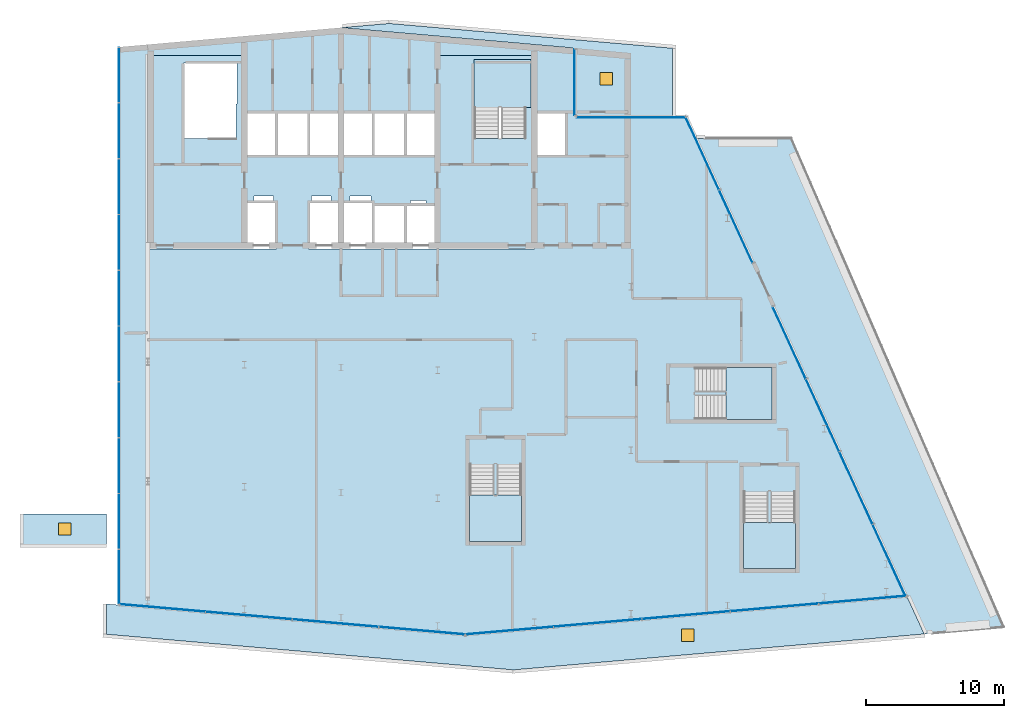
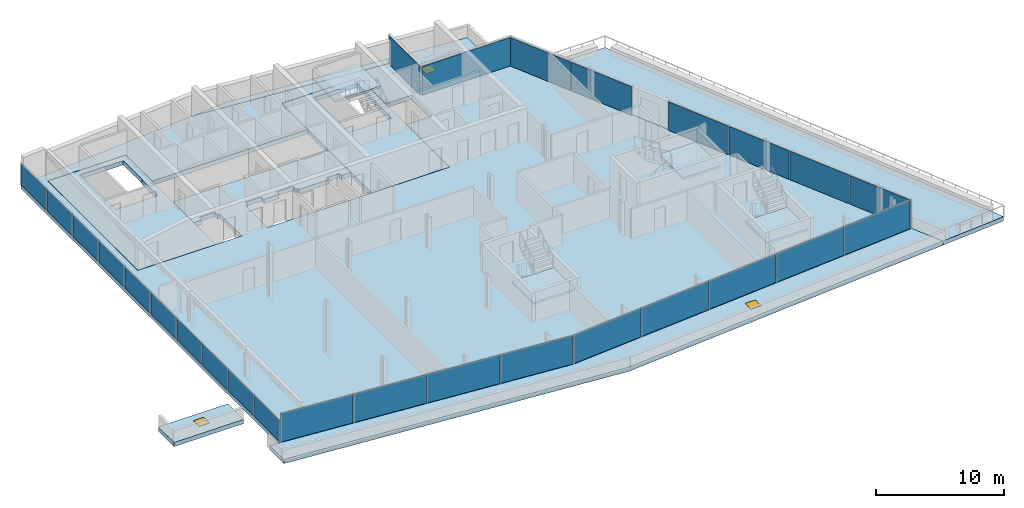
# One storey, part 10 of 17: 27 plates, 11 slabs, 3 doors, 3 openings, 11 elements without a shape of their own.
"""IFC4 building model written with IfcOpenShell, lengths in metres."""

from ifc_helpers import new_model, si_unit, direction, frame, origin, origin_2d, place, context, subcontext, project, spatial, polyline, rectangle, outline, extrude, material, layer, layer_set, type_object, element, fill, aggregate, save


model = new_model("IFC4")

# Units and contexts
model_context = context("Model", 3, precision=1e-05, world=origin(), true_north=direction((0.0, 1.0)))
body_context = subcontext(model_context, "Body", "Model", "MODEL_VIEW")
ifc_project = project(units=[si_unit("LENGTHUNIT", "METRE"), si_unit("AREAUNIT", "SQUARE_METRE"), si_unit("VOLUMEUNIT", "CUBIC_METRE"), si_unit("PLANEANGLEUNIT", "RADIAN"), si_unit("MASSUNIT", "GRAM", prefix="KILO")], contexts=[model_context])

# Site, building, storey
site_placement = place(None, origin())
site = spatial("IfcSite", under=ifc_project, at=site_placement, CompositionType="ELEMENT")
building_placement = place(site_placement, origin())
building = spatial("IfcBuilding", under=site, at=building_placement, Name="Wharfspan Tower", CompositionType="ELEMENT")
storey_placement = place(building_placement, frame((0.0, 0.0, 261.100098)))
storey = spatial("IfcBuildingStorey", under=building, at=storey_placement, Name="L66", CompositionType="ELEMENT", Elevation=261.100098)

# Curtain wall, plates
ifc_material_1 = material(Name="Aluminium 6063-T6", Category="aluminium")
curtain_wall_type_1 = type_object("IfcCurtainWallType", Name="CURTAIN WALL CROWN GABLE", PredefinedType="NOTDEFINED", material=ifc_material_1)
curtain_wall_1_placement = place(storey_placement, origin())
curtain_wall_1 = element("IfcCurtainWall", 1, at=curtain_wall_1_placement, inside=storey, type_object=curtain_wall_type_1, Name="Crown gable glazing", PredefinedType="NOTDEFINED")
ifc_material_2 = material(Name="Glass clear low-iron double glazing", Category="glass")
ifc_layer_1 = layer(ifc_material_2, 0.035889)
ifc_layer_set_1 = layer_set([ifc_layer_1], Name="Glass clear low-iron double glazing")
plate_type_1 = type_object("IfcPlateType", Name="GLASS PANEL CROWN GABLE 36", PredefinedType="CURTAIN_PANEL", material=ifc_layer_set_1)
plate_1_placement = place(storey_placement, frame((20.930176, 10.229248, 0.0), z_axis=(0.0, 0.0, 1.0), x_axis=(0.0, 1.0, 0.0)))
plate_1 = element("IfcPlate", 2, at=plate_1_placement, type_object=plate_type_1, Name="Crown gable glazing panel 1", PredefinedType="CURTAIN_PANEL", context=body_context, shape_type="SweptSolid", body=[
    extrude(rectangle(XDim=3.951172, YDim=0.035889, at=origin_2d()), origin(), (0.0, 0.0, 1.0), 2.054443),
])
plate_2_placement = place(storey_placement, frame((20.930176, 14.255615, 0.0), z_axis=(0.0, 0.0, 1.0), x_axis=(0.0, 1.0, 0.0)))
plate_2 = element("IfcPlate", 3, at=plate_2_placement, type_object=plate_type_1, Name="Crown gable glazing panel 2", PredefinedType="CURTAIN_PANEL", context=body_context, shape_type="SweptSolid", body=[
    extrude(rectangle(XDim=3.981201, YDim=0.035889, at=origin_2d()), origin(), (0.0, 0.0, 1.0), 2.054443),
])
plate_3_placement = place(storey_placement, frame((20.930176, 18.296875, 0.0), z_axis=(0.0, 0.0, 1.0), x_axis=(0.0, 1.0, 0.0)))
plate_3 = element("IfcPlate", 4, at=plate_3_placement, type_object=plate_type_1, Name="Crown gable glazing panel 3", PredefinedType="CURTAIN_PANEL", context=body_context, shape_type="SweptSolid", body=[
    extrude(rectangle(XDim=3.981201, YDim=0.035889, at=origin_2d()), origin(), (0.0, 0.0, 1.0), 2.054443),
])
plate_4_placement = place(storey_placement, frame((20.930176, 22.338135, 0.0), z_axis=(0.0, 0.0, 1.0), x_axis=(0.0, 1.0, 0.0)))
plate_4 = element("IfcPlate", 5, at=plate_4_placement, type_object=plate_type_1, Name="Crown gable glazing panel 4", PredefinedType="CURTAIN_PANEL", context=body_context, shape_type="SweptSolid", body=[
    extrude(rectangle(XDim=3.981201, YDim=0.035889, at=origin_2d()), origin(), (0.0, 0.0, 1.0), 2.054443),
])
plate_5_placement = place(storey_placement, frame((20.930176, 26.379395, 0.0), z_axis=(0.0, 0.0, 1.0), x_axis=(0.0, 1.0, 0.0)))
plate_5 = element("IfcPlate", 6, at=plate_5_placement, type_object=plate_type_1, Name="Crown gable glazing panel 5", PredefinedType="CURTAIN_PANEL", context=body_context, shape_type="SweptSolid", body=[
    extrude(rectangle(XDim=3.981201, YDim=0.035889, at=origin_2d()), origin(), (0.0, 0.0, 1.0), 2.054443),
])
plate_6_placement = place(storey_placement, frame((20.930176, 30.420654, 0.0), z_axis=(0.0, 0.0, 1.0), x_axis=(0.0, 1.0, 0.0)))
plate_6 = element("IfcPlate", 7, at=plate_6_placement, type_object=plate_type_1, Name="Crown gable glazing panel 6", PredefinedType="CURTAIN_PANEL", context=body_context, shape_type="SweptSolid", body=[
    extrude(rectangle(XDim=3.981201, YDim=0.035889, at=origin_2d()), origin(), (0.0, 0.0, 1.0), 2.054443),
])
plate_7_placement = place(storey_placement, frame((20.930176, 34.461914, 0.0), z_axis=(0.0, 0.0, 1.0), x_axis=(0.0, 1.0, 0.0)))
plate_7 = element("IfcPlate", 8, at=plate_7_placement, type_object=plate_type_1, Name="Crown gable glazing panel 7", PredefinedType="CURTAIN_PANEL", context=body_context, shape_type="SweptSolid", body=[
    extrude(rectangle(XDim=3.981201, YDim=0.035889, at=origin_2d()), origin(), (0.0, 0.0, 1.0), 2.054443),
])
plate_8_placement = place(storey_placement, frame((20.930176, 38.503174, 0.0), z_axis=(0.0, 0.0, 1.0), x_axis=(0.0, 1.0, 0.0)))
plate_8 = element("IfcPlate", 9, at=plate_8_placement, type_object=plate_type_1, Name="Crown gable glazing panel 8", PredefinedType="CURTAIN_PANEL", context=body_context, shape_type="SweptSolid", body=[
    extrude(rectangle(XDim=3.981201, YDim=0.035889, at=origin_2d()), origin(), (0.0, 0.0, 1.0), 2.054443),
])
plate_9_placement = place(storey_placement, frame((20.930176, 42.544434, 0.0), z_axis=(0.0, 0.0, 1.0), x_axis=(0.0, 1.0, 0.0)))
plate_9 = element("IfcPlate", 10, at=plate_9_placement, type_object=plate_type_1, Name="Crown gable glazing panel 9", PredefinedType="CURTAIN_PANEL", context=body_context, shape_type="SweptSolid", body=[
    extrude(rectangle(XDim=3.981201, YDim=0.035889, at=origin_2d()), origin(), (0.0, 0.0, 1.0), 2.054443),
])
plate_10_placement = place(storey_placement, frame((20.930176, 46.570801, 0.0), z_axis=(0.0, 0.0, 1.0), x_axis=(0.0, 1.0, 0.0)))
plate_10 = element("IfcPlate", 11, at=plate_10_placement, type_object=plate_type_1, Name="Crown gable glazing panel 10", PredefinedType="CURTAIN_PANEL", context=body_context, shape_type="SweptSolid", body=[
    extrude(rectangle(XDim=3.951172, YDim=0.035889, at=origin_2d()), origin(), (0.0, 0.0, 1.0), 2.054443),
])
aggregate(curtain_wall_1, [plate_1, plate_2, plate_3, plate_4, plate_5, plate_6, plate_7, plate_8, plate_9, plate_10])

curtain_wall_type_2 = type_object("IfcCurtainWallType", Name="CURTAIN WALL FACETED FRONT", PredefinedType="NOTDEFINED", material=ifc_material_1)
curtain_wall_2_placement = place(storey_placement, origin())
curtain_wall_2 = element("IfcCurtainWall", 12, at=curtain_wall_2_placement, inside=storey, type_object=curtain_wall_type_2, Name="Crown curtain wall S1", PredefinedType="NOTDEFINED")
ifc_layer_2 = layer(ifc_material_2, 0.040039)
ifc_layer_set_2 = layer_set([ifc_layer_2], Name="Glass clear low-iron double glazing")
plate_type_2 = type_object("IfcPlateType", Name="GLASS PANEL FACETED FRONT 40", PredefinedType="CURTAIN_PANEL", material=ifc_layer_set_2)
plate_11_placement = place(storey_placement, frame((24.06665, 7.979492, 0.0), z_axis=(0.0, 0.0, 1.0), x_axis=(0.996198, -0.087156, 0.0)))
plate_11 = element("IfcPlate", 13, at=plate_11_placement, type_object=plate_type_2, Name="Crown curtain wall S1 panel 1", PredefinedType="CURTAIN_PANEL", context=body_context, shape_type="SweptSolid", body=[
    extrude(rectangle(XDim=6.206299, YDim=0.040039, at=origin_2d()), origin(), (0.0, 0.0, 1.0), 2.719971),
])
plate_12_placement = place(storey_placement, frame((30.324219, 7.432129, 0.0), z_axis=(0.0, 0.0, 1.0), x_axis=(0.996198, -0.087156, 0.0)))
plate_12 = element("IfcPlate", 14, at=plate_12_placement, type_object=plate_type_2, Name="Crown curtain wall S1 panel 2", PredefinedType="CURTAIN_PANEL", context=body_context, shape_type="SweptSolid", body=[
    extrude(rectangle(XDim=6.236328, YDim=0.040039, at=origin_2d()), origin(), (0.0, 0.0, 1.0), 2.719971),
])
plate_13_placement = place(storey_placement, frame((36.59668, 6.883301, 0.0), z_axis=(0.0, 0.0, 1.0), x_axis=(0.996198, -0.087156, 0.0)))
plate_13 = element("IfcPlate", 15, at=plate_13_placement, type_object=plate_type_2, Name="Crown curtain wall S1 panel 3", PredefinedType="CURTAIN_PANEL", context=body_context, shape_type="SweptSolid", body=[
    extrude(rectangle(XDim=6.236328, YDim=0.040039, at=origin_2d()), origin(), (0.0, 0.0, 1.0), 2.719971),
])
plate_14_placement = place(storey_placement, frame((42.854004, 6.335938, 0.0), z_axis=(0.0, 0.0, 1.0), x_axis=(0.996198, -0.087156, 0.0)))
plate_14 = element("IfcPlate", 16, at=plate_14_placement, type_object=plate_type_2, Name="Crown curtain wall S1 panel 4", PredefinedType="CURTAIN_PANEL", context=body_context, shape_type="SweptSolid", body=[
    extrude(rectangle(XDim=6.206299, YDim=0.040039, at=origin_2d()), origin(), (0.0, 0.0, 1.0), 2.719971),
])
aggregate(curtain_wall_2, [plate_11, plate_12, plate_13, plate_14])

curtain_wall_3_placement = place(storey_placement, origin())
curtain_wall_3 = element("IfcCurtainWall", 17, at=curtain_wall_3_placement, inside=storey, type_object=curtain_wall_type_2, Name="Crown curtain wall S2", PredefinedType="NOTDEFINED")
plate_15_placement = place(storey_placement, frame((49.209717, 6.341309, 0.0), z_axis=(0.0, 0.0, 1.0), x_axis=(0.996198, 0.087156, 0.0)))
plate_15 = element("IfcPlate", 18, at=plate_15_placement, type_object=plate_type_2, Name="Crown curtain wall S2 panel 1", PredefinedType="CURTAIN_PANEL", context=body_context, shape_type="SweptSolid", body=[
    extrude(rectangle(XDim=6.334473, YDim=0.040039, at=origin_2d()), origin(), (0.0, 0.0, 1.0), 2.719971),
])
plate_16_placement = place(storey_placement, frame((55.594727, 6.900146, 0.0), z_axis=(0.0, 0.0, 1.0), x_axis=(0.996198, 0.087156, 0.0)))
plate_16 = element("IfcPlate", 19, at=plate_16_placement, type_object=plate_type_2, Name="Crown curtain wall S2 panel 2", PredefinedType="CURTAIN_PANEL", context=body_context, shape_type="SweptSolid", body=[
    extrude(rectangle(XDim=6.364502, YDim=0.040039, at=origin_2d()), origin(), (0.0, 0.0, 1.0), 2.719971),
])
plate_17_placement = place(storey_placement, frame((61.994873, 7.459961, 0.0), z_axis=(0.0, 0.0, 1.0), x_axis=(0.996198, 0.087156, 0.0)))
plate_17 = element("IfcPlate", 20, at=plate_17_placement, type_object=plate_type_2, Name="Crown curtain wall S2 panel 3", PredefinedType="CURTAIN_PANEL", context=body_context, shape_type="SweptSolid", body=[
    extrude(rectangle(XDim=6.364502, YDim=0.040039, at=origin_2d()), origin(), (0.0, 0.0, 1.0), 2.719971),
])
plate_18_placement = place(storey_placement, frame((68.394775, 8.019775, 0.0), z_axis=(0.0, 0.0, 1.0), x_axis=(0.996198, 0.087156, 0.0)))
plate_18 = element("IfcPlate", 21, at=plate_18_placement, type_object=plate_type_2, Name="Crown curtain wall S2 panel 4", PredefinedType="CURTAIN_PANEL", context=body_context, shape_type="SweptSolid", body=[
    extrude(rectangle(XDim=6.364502, YDim=0.040039, at=origin_2d()), origin(), (0.0, 0.0, 1.0), 2.719971),
])
plate_19_placement = place(storey_placement, frame((74.779785, 8.578613, 0.0), z_axis=(0.0, 0.0, 1.0), x_axis=(0.996198, 0.087156, 0.0)))
plate_19 = element("IfcPlate", 22, at=plate_19_placement, type_object=plate_type_2, Name="Crown curtain wall S2 panel 5", PredefinedType="CURTAIN_PANEL", context=body_context, shape_type="SweptSolid", body=[
    extrude(rectangle(XDim=6.334473, YDim=0.040039, at=origin_2d()), origin(), (0.0, 0.0, 1.0), 2.719971),
])
aggregate(curtain_wall_3, [plate_15, plate_16, plate_17, plate_18, plate_19])

curtain_wall_type_3 = type_object("IfcCurtainWallType", Name="CURTAIN WALL PROW AND END", PredefinedType="NOTDEFINED", material=ifc_material_1)
curtain_wall_4_placement = place(storey_placement, origin())
curtain_wall_4 = element("IfcCurtainWall", 23, at=curtain_wall_4_placement, inside=storey, type_object=curtain_wall_type_3, Name="Crown curtain wall E", PredefinedType="NOTDEFINED")
ifc_layer_3 = layer(ifc_material_2, 0.040039)
ifc_layer_set_3 = layer_set([ifc_layer_3], Name="Glass clear low-iron double glazing")
plate_type_3 = type_object("IfcPlateType", Name="GLASS PANEL PROW AND END 40", PredefinedType="CURTAIN_PANEL", material=ifc_layer_set_3)
plate_20_placement = place(storey_placement, frame((76.711426, 11.414551, 0.0), z_axis=(0.0, 0.0, 1.0), x_axis=(-0.417292, 0.908769, 0.0)))
plate_20 = element("IfcPlate", 24, at=plate_20_placement, type_object=plate_type_3, Name="Crown curtain wall E panel 1", PredefinedType="CURTAIN_PANEL", context=body_context, shape_type="SweptSolid", body=[
    extrude(rectangle(XDim=5.707764, YDim=0.040039, at=origin_2d()), origin(), (0.0, 0.0, 1.0), 2.719971),
])
plate_21_placement = place(storey_placement, frame((74.29834, 16.669678, 0.0), z_axis=(0.0, 0.0, 1.0), x_axis=(-0.417292, 0.908769, 0.0)))
plate_21 = element("IfcPlate", 25, at=plate_21_placement, type_object=plate_type_3, Name="Crown curtain wall E panel 2", PredefinedType="CURTAIN_PANEL", context=body_context, shape_type="SweptSolid", body=[
    extrude(rectangle(XDim=5.737793, YDim=0.040039, at=origin_2d()), origin(), (0.0, 0.0, 1.0), 2.719971),
])
plate_22_placement = place(storey_placement, frame((71.878906, 21.938477, 0.0), z_axis=(0.0, 0.0, 1.0), x_axis=(-0.417292, 0.908769, 0.0)))
plate_22 = element("IfcPlate", 26, at=plate_22_placement, type_object=plate_type_3, Name="Crown curtain wall E panel 3", PredefinedType="CURTAIN_PANEL", context=body_context, shape_type="SweptSolid", body=[
    extrude(rectangle(XDim=5.737793, YDim=0.040039, at=origin_2d()), origin(), (0.0, 0.0, 1.0), 2.719971),
])
plate_23_placement = place(storey_placement, frame((69.46582, 27.193604, 0.0), z_axis=(0.0, 0.0, 1.0), x_axis=(-0.417292, 0.908769, 0.0)))
plate_23 = element("IfcPlate", 27, at=plate_23_placement, type_object=plate_type_3, Name="Crown curtain wall E panel 4", PredefinedType="CURTAIN_PANEL", context=body_context, shape_type="SweptSolid", body=[
    extrude(rectangle(XDim=5.707764, YDim=0.040039, at=origin_2d()), origin(), (0.0, 0.0, 1.0), 2.719971),
])
aggregate(curtain_wall_4, [plate_20, plate_21, plate_22, plate_23])

curtain_wall_5_placement = place(storey_placement, origin())
curtain_wall_5 = element("IfcCurtainWall", 28, at=curtain_wall_5_placement, inside=storey, type_object=curtain_wall_type_3, Name="Crown curtain wall E", PredefinedType="NOTDEFINED")
plate_24_placement = place(storey_placement, frame((65.604004, 35.604004, 0.0), z_axis=(0.0, 0.0, 1.0), x_axis=(-0.417292, 0.908769, 0.0)))
plate_24 = element("IfcPlate", 29, at=plate_24_placement, type_object=plate_type_3, Name="Crown curtain wall E panel 1", PredefinedType="CURTAIN_PANEL", context=body_context, shape_type="SweptSolid", body=[
    extrude(rectangle(XDim=5.761475, YDim=0.040039, at=origin_2d()), origin(), (0.0, 0.0, 1.0), 2.719971),
])
plate_25_placement = place(storey_placement, frame((63.174805, 40.894287, 0.0), z_axis=(0.0, 0.0, 1.0), x_axis=(-0.417292, 0.908769, 0.0)))
plate_25 = element("IfcPlate", 30, at=plate_25_placement, type_object=plate_type_3, Name="Crown curtain wall E panel 2", PredefinedType="CURTAIN_PANEL", context=body_context, shape_type="SweptSolid", body=[
    extrude(rectangle(XDim=5.761475, YDim=0.040039, at=origin_2d()), origin(), (0.0, 0.0, 1.0), 2.719971),
])
aggregate(curtain_wall_5, [plate_24, plate_25])

# Curtain wall, plate
curtain_wall_6_placement = place(storey_placement, origin())
curtain_wall_6 = element("IfcCurtainWall", 31, at=curtain_wall_6_placement, inside=storey, type_object=curtain_wall_type_3, Name="Crown curtain wall NRE-H", PredefinedType="NOTDEFINED")
plate_26_placement = place(storey_placement, frame((58.010254, 43.52002, 0.0), z_axis=(0.0, 0.0, 1.0), x_axis=(-1.0, 0.0, 0.0)))
plate_26 = element("IfcPlate", 32, at=plate_26_placement, type_object=plate_type_3, Name="Crown curtain wall NRE-H panel 1", PredefinedType="CURTAIN_PANEL", context=body_context, shape_type="SweptSolid", body=[
    extrude(rectangle(XDim=7.900391, YDim=0.040039, at=origin_2d()), origin(), (0.0, 0.0, 1.0), 2.719971),
])
aggregate(curtain_wall_6, [plate_26])

curtain_wall_7_placement = place(storey_placement, origin())
curtain_wall_7 = element("IfcCurtainWall", 33, at=curtain_wall_7_placement, inside=storey, type_object=curtain_wall_type_3, Name="Crown curtain wall NRE-V", PredefinedType="NOTDEFINED")
plate_27_placement = place(storey_placement, frame((53.919922, 46.0625, 0.0), z_axis=(0.0, 0.0, 1.0), x_axis=(0.0, 1.0, 0.0)))
plate_27 = element("IfcPlate", 34, at=plate_27_placement, type_object=plate_type_3, Name="Crown curtain wall NRE-V panel 1", PredefinedType="CURTAIN_PANEL", context=body_context, shape_type="SweptSolid", body=[
    extrude(rectangle(XDim=4.804932, YDim=0.040039, at=origin_2d()), origin(), (0.0, 0.0, 1.0), 2.719971),
])
aggregate(curtain_wall_7, [plate_27])

# Slabs
ifc_material_3 = material(Name="Concrete C40/50", Category="concrete")
ifc_layer_4 = layer(ifc_material_3, 0.399902)
ifc_layer_set_4 = layer_set([ifc_layer_4], Name="Concrete C40/50")
slab_type_1 = type_object("IfcSlabType", Name="Post-tensioned flat slab 400", PredefinedType="FLOOR", material=ifc_layer_set_4)
slab_1_placement = place(storey_placement, frame((0.0, 0.0, -0.400146)))
element("IfcSlab", 35, at=slab_1_placement, inside=storey, type_object=slab_type_1, Name="Floor slab L66", PredefinedType="FLOOR", context=body_context, shape_type="SweptSolid", body=[
    extrude(outline(polyline([(37.0, 50.012207), (20.930176, 48.606201), (20.930176, 8.193604), (46.0, 6.000488), (78.0, 8.800049), (62.020508, 43.600098), (54.0, 43.600098), (54.0, 48.524902), (37.0, 50.012207)]), holes=[polyline([(32.126709, 37.810059), (32.126709, 37.409912), (32.343262, 37.409912), (32.343262, 33.98999), (22.98999, 33.98999), (22.98999, 48.01001), (30.01001, 48.01001), (30.01001, 43.909912), (43.98999, 43.909912), (43.98999, 48.01001), (51.01001, 48.01001), (51.01001, 43.909912), (53.343262, 43.909912), (53.343262, 40.689941), (51.01001, 40.689941), (51.01001, 33.98999), (34.656738, 33.98999), (34.656738, 37.409912), (34.873291, 37.409912), (34.873291, 37.810059), (36.293213, 37.810059), (36.293213, 37.409912), (37.666748, 37.409912), (37.666748, 37.810059), (39.166748, 37.810059), (39.166748, 37.409912), (39.343262, 37.409912), (39.343262, 37.209961), (42.023193, 37.209961), (42.023193, 37.51001), (43.143311, 37.51001), (43.143311, 37.209961), (43.98999, 37.209961), (43.98999, 40.689941), (30.01001, 40.689941), (30.01001, 37.409912), (30.706787, 37.409912), (30.706787, 37.810059), (32.126709, 37.810059)])]), origin(), (0.0, 0.0, 1.0), 0.400146),
])
slab_2_placement = place(storey_placement, frame((0.0, 0.0, -0.400146)))
element("IfcSlab", 36, at=slab_2_placement, inside=storey, type_object=slab_type_1, Name="Core floor slab L66 part 1", PredefinedType="FLOOR", context=body_context, shape_type="SweptSolid", body=[
    extrude(outline(polyline([(29.998047, 34.0), (29.998047, 37.399902), (29.998047, 37.400146), (29.998047, 37.400391), (29.998047, 37.400635), (29.998291, 37.400879), (29.998291, 37.400879), (29.998291, 37.401123), (29.998535, 37.401367), (29.998535, 37.401367), (29.998779, 37.401611), (29.998779, 37.401611), (29.999023, 37.401855), (29.999268, 37.401855), (29.999512, 37.401855), (29.999512, 37.4021), (29.999756, 37.4021), (30.0, 37.4021), (30.0, 40.697998), (29.999756, 40.697998), (29.999512, 40.697998), (29.999512, 40.697998), (29.999268, 40.698242), (29.999023, 40.698242), (29.998779, 40.698242), (29.998779, 40.698486), (29.998535, 40.698486), (29.998535, 40.69873), (29.998291, 40.698975), (29.998291, 40.699219), (29.998291, 40.699219), (29.998047, 40.699463), (29.998047, 40.699707), (29.998047, 40.699707), (29.998047, 40.699951), (29.998047, 43.899902), (29.998047, 43.900146), (29.998047, 43.900391), (29.998047, 43.900635), (29.998291, 43.900879), (29.998291, 43.900879), (29.998291, 43.901123), (29.998535, 43.901367), (29.998535, 43.901367), (29.998779, 43.901611), (29.998779, 43.901611), (29.999023, 43.901855), (29.999268, 43.901855), (29.999512, 43.901855), (29.999512, 43.9021), (29.999756, 43.9021), (30.0, 43.9021), (30.0, 48.0), (23.0, 48.0), (23.0, 34.0), (29.998047, 34.0)]), holes=[polyline([(25.649902, 41.998047), (25.649902, 41.998047), (25.649658, 41.998047), (25.649414, 41.998047), (25.64917, 41.998291), (25.64917, 41.998291), (25.648926, 41.998291), (25.648682, 41.998535), (25.648682, 41.998535), (25.648438, 41.998779), (25.648193, 41.998779), (25.648193, 41.999023), (25.648193, 41.999268), (25.648193, 41.999512), (25.647949, 41.999512), (25.647949, 41.999756), (25.647949, 42.0), (25.647949, 44.468018), (25.600098, 44.468018), (25.599854, 44.468018), (25.599609, 44.468018), (25.599365, 44.468018), (25.599121, 44.468262), (25.599121, 44.468262), (25.598877, 44.468262), (25.598633, 44.468506), (25.598633, 44.468506), (25.598389, 44.46875), (25.598389, 44.468994), (25.598145, 44.468994), (25.598145, 44.469238), (25.598145, 44.469482), (25.5979, 44.469482), (25.5979, 44.469727), (25.5979, 44.469971), (25.5979, 47.449951), (25.5979, 47.450195), (25.5979, 47.450439), (25.598145, 47.450684), (25.598145, 47.450684), (25.598145, 47.450928), (25.598389, 47.451172), (25.598389, 47.451416), (25.598633, 47.451416), (25.598633, 47.451416), (25.598877, 47.45166), (25.599121, 47.451904), (25.599121, 47.451904), (25.599365, 47.451904), (25.599609, 47.451904), (25.599854, 47.451904), (25.600098, 47.451904), (29.449951, 47.451904), (29.450195, 47.451904), (29.450439, 47.451904), (29.450684, 47.451904), (29.450684, 47.451904), (29.450928, 47.451904), (29.451172, 47.45166), (29.451416, 47.451416), (29.451416, 47.451416), (29.451416, 47.451416), (29.45166, 47.451172), (29.451904, 47.450928), (29.451904, 47.450684), (29.451904, 47.450684), (29.451904, 47.450439), (29.451904, 47.450195), (29.451904, 47.449951), (29.451904, 44.469971), (29.451904, 44.469727), (29.451904, 44.469482), (29.451904, 44.469482), (29.451904, 44.469238), (29.451904, 44.468994), (29.45166, 44.468994), (29.451416, 44.46875), (29.451416, 44.468506), (29.451416, 44.468506), (29.451172, 44.468262), (29.450928, 44.468262), (29.450684, 44.468262), (29.450684, 44.468018), (29.450439, 44.468018), (29.450195, 44.468018), (29.449951, 44.468018), (29.4021, 44.468018), (29.4021, 42.0), (29.4021, 41.999756), (29.4021, 41.999512), (29.401855, 41.999512), (29.401855, 41.999268), (29.401855, 41.999023), (29.401611, 41.998779), (29.401611, 41.998779), (29.401367, 41.998535), (29.401367, 41.998535), (29.401123, 41.998291), (29.400879, 41.998291), (29.400879, 41.998291), (29.400635, 41.998047), (29.400391, 41.998047), (29.400146, 41.998047), (29.399902, 41.998047), (25.649902, 41.998047)])]), origin(), (0.0, 0.0, 1.0), 0.400146),
])
slab_3_placement = place(storey_placement, frame((0.0, 0.0, -0.400146)))
element("IfcSlab", 37, at=slab_3_placement, inside=storey, type_object=slab_type_1, Name="Core floor slab L66 part 2", PredefinedType="FLOOR", context=body_context, shape_type="SweptSolid", body=[
    extrude(outline(polyline([(51.0, 48.0), (44.0, 48.0), (44.0, 43.9021), (44.000244, 43.9021), (44.000488, 43.9021), (44.000488, 43.901855), (44.000732, 43.901855), (44.000977, 43.901855), (44.001221, 43.901611), (44.001221, 43.901611), (44.001465, 43.901367), (44.001465, 43.901367), (44.001709, 43.901123), (44.001709, 43.900879), (44.001709, 43.900879), (44.001953, 43.900635), (44.001953, 43.900391), (44.001953, 43.900146), (44.001953, 43.899902), (44.001953, 40.699951), (44.001953, 40.699707), (44.001953, 40.699707), (44.001953, 40.699463), (44.001709, 40.699219), (44.001709, 40.699219), (44.001709, 40.698975), (44.001465, 40.69873), (44.001465, 40.698486), (44.001221, 40.698486), (44.001221, 40.698242), (44.000977, 40.698242), (44.000732, 40.698242), (44.000488, 40.697998), (44.000488, 40.697998), (44.000244, 40.697998), (44.0, 40.697998), (44.0, 37.201904), (44.000244, 37.201904), (44.000488, 37.201904), (44.000488, 37.201904), (44.000732, 37.201904), (44.000977, 37.201904), (44.001221, 37.20166), (44.001221, 37.201416), (44.001465, 37.201416), (44.001465, 37.201416), (44.001709, 37.201172), (44.001709, 37.200928), (44.001709, 37.200684), (44.001953, 37.200684), (44.001953, 37.200439), (44.001953, 37.200195), (44.001953, 37.199951), (44.001953, 34.0), (51.0, 34.0), (51.0, 40.697998), (50.999756, 40.697998), (50.999512, 40.697998), (50.999512, 40.697998), (50.999268, 40.698242), (50.999023, 40.698242), (50.998779, 40.698242), (50.998779, 40.698486), (50.998535, 40.698486), (50.998535, 40.69873), (50.998291, 40.698975), (50.998291, 40.699219), (50.998291, 40.699219), (50.998047, 40.699463), (50.998047, 40.699707), (50.998047, 40.699707), (50.998047, 40.699951), (50.998047, 43.899902), (50.998047, 43.900146), (50.998047, 43.900391), (50.998047, 43.900635), (50.998291, 43.900879), (50.998291, 43.900879), (50.998291, 43.901123), (50.998535, 43.901367), (50.998535, 43.901367), (50.998779, 43.901611), (50.998779, 43.901611), (50.999023, 43.901855), (50.999268, 43.901855), (50.999512, 43.901855), (50.999512, 43.9021), (50.999756, 43.9021), (51.0, 43.9021), (51.0, 48.0)]), holes=[polyline([(46.5979, 47.449951), (46.5979, 47.450195), (46.5979, 47.450439), (46.598145, 47.450684), (46.598145, 47.450684), (46.598145, 47.450928), (46.598389, 47.451172), (46.598389, 47.451416), (46.598633, 47.451416), (46.598633, 47.451416), (46.598877, 47.45166), (46.599121, 47.451904), (46.599121, 47.451904), (46.599365, 47.451904), (46.599609, 47.451904), (46.599854, 47.451904), (46.600098, 47.451904), (50.449951, 47.451904), (50.450195, 47.451904), (50.450439, 47.451904), (50.450684, 47.451904), (50.450684, 47.451904), (50.450928, 47.451904), (50.451172, 47.45166), (50.451416, 47.451416), (50.451416, 47.451416), (50.451416, 47.451416), (50.45166, 47.451172), (50.451904, 47.450928), (50.451904, 47.450684), (50.451904, 47.450684), (50.451904, 47.450439), (50.451904, 47.450195), (50.451904, 47.449951), (50.451904, 44.469971), (50.451904, 44.469727), (50.451904, 44.469482), (50.451904, 44.469482), (50.451904, 44.469238), (50.451904, 44.468994), (50.45166, 44.468994), (50.451416, 44.46875), (50.451416, 44.468506), (50.451416, 44.468506), (50.451172, 44.468262), (50.450928, 44.468262), (50.450684, 44.468262), (50.450684, 44.468018), (50.450439, 44.468018), (50.450195, 44.468018), (50.449951, 44.468018), (50.4021, 44.468018), (50.4021, 42.0), (50.4021, 41.999756), (50.4021, 41.999512), (50.401855, 41.999512), (50.401855, 41.999268), (50.401855, 41.999023), (50.401611, 41.998779), (50.401611, 41.998779), (50.401367, 41.998535), (50.401367, 41.998535), (50.401123, 41.998291), (50.400879, 41.998291), (50.400879, 41.998291), (50.400635, 41.998047), (50.400391, 41.998047), (50.400146, 41.998047), (50.399902, 41.998047), (46.649902, 41.998047), (46.649902, 41.998047), (46.649658, 41.998047), (46.649414, 41.998047), (46.64917, 41.998291), (46.64917, 41.998291), (46.648926, 41.998291), (46.648682, 41.998535), (46.648682, 41.998535), (46.648438, 41.998779), (46.648193, 41.998779), (46.648193, 41.999023), (46.648193, 41.999268), (46.648193, 41.999512), (46.647949, 41.999512), (46.647949, 41.999756), (46.647949, 42.0), (46.647949, 44.468018), (46.600098, 44.468018), (46.599854, 44.468018), (46.599609, 44.468018), (46.599365, 44.468018), (46.599121, 44.468262), (46.599121, 44.468262), (46.598877, 44.468262), (46.598633, 44.468506), (46.598633, 44.468506), (46.598389, 44.46875), (46.598389, 44.468994), (46.598145, 44.468994), (46.598145, 44.469238), (46.598145, 44.469482), (46.5979, 44.469482), (46.5979, 44.469727), (46.5979, 44.469971), (46.5979, 47.449951)])]), origin(), (0.0, 0.0, 1.0), 0.400146),
])

# Stair, slab
stair_type = type_object("IfcStairType", Name="Half-turn stair 18 risers 178 mm", PredefinedType="HALF_TURN_STAIR", material=ifc_material_3)
stair_1_placement = place(storey_placement, origin())
stair_1 = element("IfcStair", 38, at=stair_1_placement, inside=storey, type_object=stair_type, Name="L66 stair ST2", PredefinedType="HALF_TURN_STAIR")
ifc_layer_5 = layer(ifc_material_3, 0.199951)
ifc_layer_set_5 = layer_set([ifc_layer_5], Name="Concrete C40/50")
slab_type_2 = type_object("IfcSlabType", Name="Stair landing 200", PredefinedType="LANDING", material=ifc_layer_set_5)
slab_4_placement = place(storey_placement, frame((0.0, 0.0, 1.399658)))
slab_4 = element("IfcSlab", 39, at=slab_4_placement, type_object=slab_type_2, Name="ST2 landing 1", PredefinedType="LANDING", context=body_context, shape_type="SweptSolid", body=[
    extrude(outline(polyline([(46.649902, 44.23999), (50.774902, 44.23999), (50.774902, 47.723389), (46.649902, 47.723389), (46.649902, 44.23999)])), origin(), (0.0, 0.0, 1.0), 0.200195),
])
aggregate(stair_1, [slab_4])

stair_2_placement = place(storey_placement, origin())
stair_2 = element("IfcStair", 40, at=stair_2_placement, inside=storey, type_object=stair_type, Name="L66 stair ST7", PredefinedType="HALF_TURN_STAIR")
slab_5_placement = place(storey_placement, frame((0.0, 0.0, 1.399658)))
slab_5 = element("IfcSlab", 41, at=slab_5_placement, type_object=slab_type_2, Name="ST7 landing 1", PredefinedType="LANDING", context=body_context, shape_type="SweptSolid", body=[
    extrude(outline(polyline([(66.156738, 14.181641), (66.156738, 10.821777), (69.906738, 10.821777), (69.906738, 14.181641), (66.156738, 14.181641)])), origin(), (0.0, 0.0, 1.0), 0.200195),
])
aggregate(stair_2, [slab_5])

stair_3_placement = place(storey_placement, origin())
stair_3 = element("IfcStair", 42, at=stair_3_placement, inside=storey, type_object=stair_type, Name="L66 stair ST8", PredefinedType="HALF_TURN_STAIR")
slab_6_placement = place(storey_placement, frame((0.0, 0.0, 1.399658)))
slab_6 = element("IfcSlab", 43, at=slab_6_placement, type_object=slab_type_2, Name="ST8 landing 1", PredefinedType="LANDING", context=body_context, shape_type="SweptSolid", body=[
    extrude(outline(polyline([(64.871582, 21.646729), (68.231689, 21.646729), (68.231689, 25.396729), (64.871582, 25.396729), (64.871582, 21.646729)])), origin(), (0.0, 0.0, 1.0), 0.200195),
])
aggregate(stair_3, [slab_6])

stair_4_placement = place(storey_placement, origin())
stair_4 = element("IfcStair", 44, at=stair_4_placement, inside=storey, type_object=stair_type, Name="L66 stair ST9", PredefinedType="HALF_TURN_STAIR")
slab_7_placement = place(storey_placement, frame((0.0, 0.0, 1.399658)))
slab_7 = element("IfcSlab", 45, at=slab_7_placement, type_object=slab_type_2, Name="ST9 landing 1", PredefinedType="LANDING", context=body_context, shape_type="SweptSolid", body=[
    extrude(outline(polyline([(46.316162, 16.1604), (46.316162, 12.800293), (50.066162, 12.800293), (50.066162, 16.1604), (46.316162, 16.1604)])), origin(), (0.0, 0.0, 1.0), 0.200195),
])
aggregate(stair_4, [slab_7])

# Slab
ifc_layer_6 = layer(ifc_material_3, 0.399902)
ifc_layer_set_6 = layer_set([ifc_layer_6], Name="Concrete C40/50")
slab_type_3 = type_object("IfcSlabType", Name="Terrace slab 400", PredefinedType="FLOOR", material=ifc_layer_set_6)
slab_8_placement = place(storey_placement, frame((0.0, 0.0, -0.400146)))
element("IfcSlab", 46, at=slab_8_placement, inside=storey, type_object=slab_type_3, Name="Terrace slab T4E L66", PredefinedType="FLOOR", context=body_context, shape_type="SweptSolid", body=[
    extrude(outline(polyline([(85.0, 6.600098), (69.608643, 42.0), (62.757324, 42.0), (78.00293, 8.79834), (78.000977, 8.798096), (79.241455, 6.096191), (85.0, 6.600098)])), origin(), (0.0, 0.0, 1.0), 0.400146),
])

# Slab, opening, door
slab_9_placement = place(storey_placement, frame((0.0, 0.0, -0.400146)))
slab_9 = element("IfcSlab", 47, at=slab_9_placement, inside=storey, type_object=slab_type_3, Name="Ledge slab G4F1 L66", PredefinedType="FLOOR", context=body_context, shape_type="SweptSolid", body=[
    extrude(outline(polyline([(49.5, 3.494141), (79.241455, 6.096191), (78.000977, 8.798096), (46.0, 5.998291), (20.928223, 8.191895), (20.928223, 8.193848), (20.0, 8.275146), (20.0, 6.075195), (49.5, 3.494141)])), origin(), (0.0, 0.0, 1.0), 0.400146),
])
opening_1_placement = place(slab_9_placement, frame((62.125977, 6.003906, 0.0)))
opening_1 = element("IfcOpeningElement", 48, at=opening_1_placement, cuts=slab_9, Name="Opening RH1", PredefinedType="OPENING", context=body_context, shape_type="SweptSolid", body=[
    extrude(rectangle(XDim=0.899902, YDim=0.899902, at=origin_2d()), frame((0.0, 0.0, -0.01001)), (0.0, 0.0, 1.0), 0.420166),
])
ifc_material_4 = material(Name="Steel S355J2", Category="steel")
door_type = type_object("IfcDoorType", Name="ROOF HATCH 900x900", OperationType="SINGLE_SWING_LEFT", PredefinedType="TRAPDOOR", material=ifc_material_4)
door_1_placement = place(opening_1_placement, frame((0.0, 0.0, 0.360107)))
door_1 = element("IfcDoor", 49, at=door_1_placement, inside=storey, type_object=door_type, Name="Roof hatch", OperationType="SINGLE_SWING_LEFT", OverallHeight=0.899902, OverallWidth=0.899902, PredefinedType="TRAPDOOR", context=body_context, shape_type="SweptSolid", body=[
    extrude(rectangle(XDim=0.899902, YDim=0.899902, at=origin_2d()), origin(), (0.0, 0.0, 1.0), 0.050049),
])
fill(opening_1, door_1)

slab_10_placement = place(storey_placement, frame((0.0, 0.0, -0.400146)))
slab_10 = element("IfcSlab", 50, at=slab_10_placement, inside=storey, type_object=slab_type_3, Name="Ledge slab G4F2 L66", PredefinedType="FLOOR", context=body_context, shape_type="SweptSolid", body=[
    extrude(outline(polyline([(61.0, 48.524902), (40.5, 50.318359), (37.011475, 50.013184), (54.001953, 48.526855), (54.001953, 43.602051), (61.0, 43.602051), (61.0, 48.524902)])), origin(), (0.0, 0.0, 1.0), 0.400146),
])
opening_2_placement = place(slab_10_placement, frame((56.201904, 46.302002, 0.0)))
opening_2 = element("IfcOpeningElement", 51, at=opening_2_placement, cuts=slab_10, Name="Opening RH1", PredefinedType="OPENING", context=body_context, shape_type="SweptSolid", body=[
    extrude(rectangle(XDim=0.899902, YDim=0.899902, at=origin_2d()), frame((0.0, 0.0, -0.01001)), (0.0, 0.0, 1.0), 0.420166),
])
door_2_placement = place(opening_2_placement, frame((0.0, 0.0, 0.360107)))
door_2 = element("IfcDoor", 52, at=door_2_placement, inside=storey, type_object=door_type, Name="Roof hatch", OperationType="SINGLE_SWING_LEFT", OverallHeight=0.899902, OverallWidth=0.899902, PredefinedType="TRAPDOOR", context=body_context, shape_type="SweptSolid", body=[
    extrude(rectangle(XDim=0.899902, YDim=0.899902, at=origin_2d()), origin(), (0.0, 0.0, 1.0), 0.050049),
])
fill(opening_2, door_2)

slab_11_placement = place(storey_placement, frame((0.0, 0.0, -0.400146)))
slab_11 = element("IfcSlab", 53, at=slab_11_placement, inside=storey, type_object=slab_type_3, Name="Ledge slab G4F3 L66", PredefinedType="FLOOR", context=body_context, shape_type="SweptSolid", body=[
    extrude(outline(polyline([(13.75, 12.350098), (20.0, 12.350098), (20.0, 14.800049), (13.75, 14.800049), (13.75, 12.350098)])), origin(), (0.0, 0.0, 1.0), 0.400146),
])
opening_3_placement = place(slab_11_placement, frame((17.0, 13.699951, 0.0)))
opening_3 = element("IfcOpeningElement", 54, at=opening_3_placement, cuts=slab_11, Name="Opening RH1", PredefinedType="OPENING", context=body_context, shape_type="SweptSolid", body=[
    extrude(rectangle(XDim=0.899902, YDim=0.899902, at=origin_2d()), frame((0.0, 0.0, -0.01001)), (0.0, 0.0, 1.0), 0.420166),
])
door_3_placement = place(opening_3_placement, frame((0.0, 0.0, 0.360107)))
door_3 = element("IfcDoor", 55, at=door_3_placement, inside=storey, type_object=door_type, Name="Roof hatch", OperationType="SINGLE_SWING_LEFT", OverallHeight=0.899902, OverallWidth=0.899902, PredefinedType="TRAPDOOR", context=body_context, shape_type="SweptSolid", body=[
    extrude(rectangle(XDim=0.899902, YDim=0.899902, at=origin_2d()), origin(), (0.0, 0.0, 1.0), 0.050049),
])
fill(opening_3, door_3)

save(model, "model.ifc")
